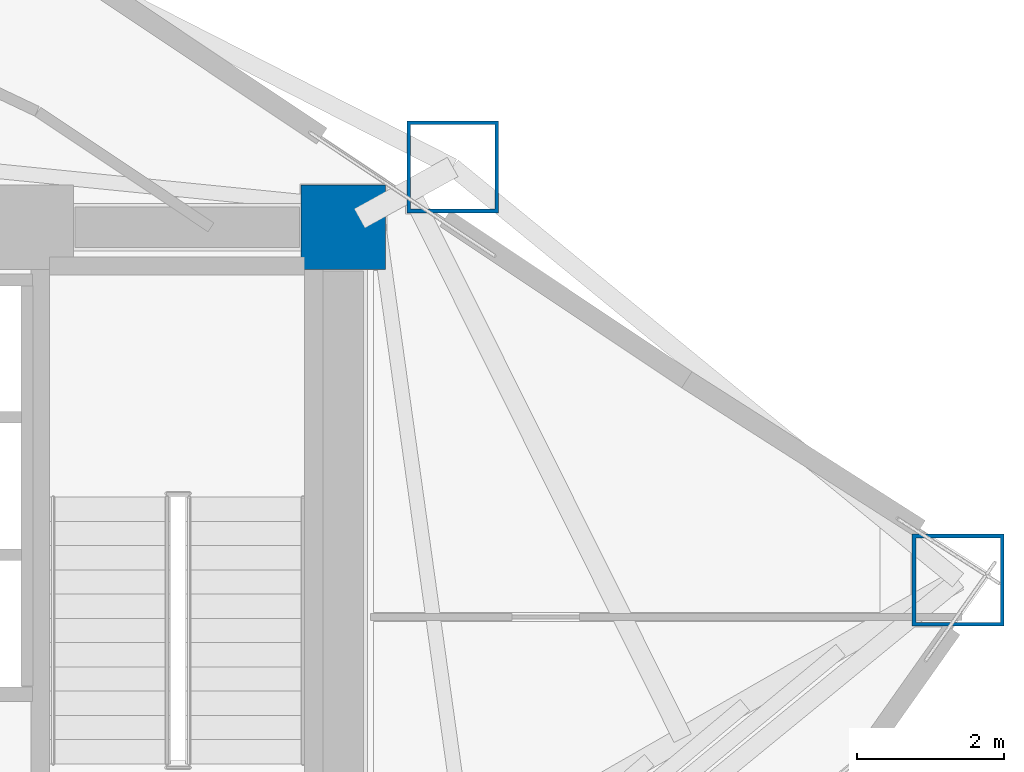
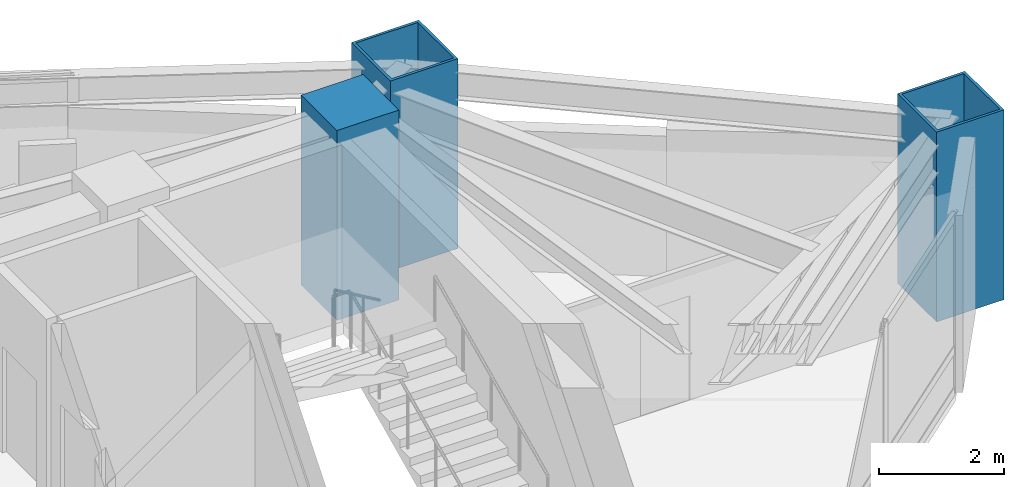
# One storey, part 2 of 23: 3 columns.
"""IFC4 building model written with IfcOpenShell, lengths in metres."""

from ifc_helpers import new_model, si_unit, direction, frame, origin, origin_2d, place, context, subcontext, project, spatial, rectangle, hollow_rectangle, extrude, material, material_profile, profile_set, type_object, element, save


model = new_model("IFC4")

# Units and contexts
model_context = context("Model", 3, precision=1e-05, world=origin(), true_north=direction((0.0, 1.0)))
body_context = subcontext(model_context, "Body", "Model", "MODEL_VIEW")
ifc_project = project(units=[si_unit("LENGTHUNIT", "METRE"), si_unit("AREAUNIT", "SQUARE_METRE"), si_unit("VOLUMEUNIT", "CUBIC_METRE"), si_unit("PLANEANGLEUNIT", "RADIAN"), si_unit("MASSUNIT", "GRAM", prefix="KILO")], contexts=[model_context])

# Site, building, storey
site_placement = place(None, origin())
site = spatial("IfcSite", under=ifc_project, at=site_placement, CompositionType="ELEMENT")
building_placement = place(site_placement, origin())
building = spatial("IfcBuilding", under=site, at=building_placement, Name="Menara Vayukalpa", CompositionType="ELEMENT")
storey_placement = place(building_placement, frame((0.0, 0.0, 111.419921875)))
storey = spatial("IfcBuildingStorey", under=building, at=storey_placement, Name="L27", CompositionType="ELEMENT", Elevation=111.419921875)

# Columns
ifc_material_1 = material(Name="Concrete C80/95", Category="concrete")
ifc_material_profile_1 = material_profile(ifc_material_1, rectangle(XDim=1.14990234375, YDim=1.14990234375, at=origin_2d()), Name="RC 1150x1150")
ifc_profile_set_1 = profile_set([ifc_material_profile_1], Name="Concrete C80/95")
column_type_1 = type_object("IfcColumnType", Name="COL-CC1", PredefinedType="COLUMN", material=ifc_profile_set_1)
column_placement = place(storey_placement, frame((33.39990234375, 26.800048828125, 0.0), z_axis=(0.0, 0.0, 1.0), x_axis=(1.0, 0.0, 0.0)))
element("IfcColumn", 1, at=column_placement, inside=storey, type_object=column_type_1, Name="L27 Core Pilaster Column CC8", PredefinedType="COLUMN", context=body_context, shape_type="SweptSolid", body=[
    extrude(rectangle(XDim=1.14990234375, YDim=1.14990234375, at=origin_2d()), origin(), (0.0, 0.0, 1.0), 3.719970703125),
])
ifc_material_2 = material(Name="Steel S460", Category="steel")
ifc_material_profile_2 = material_profile(ifc_material_2, hollow_rectangle(XDim=1.25, YDim=1.25, WallThickness=0.050048828125, at=origin_2d()), Name="BOX 1250x1250x50")
ifc_profile_set_2 = profile_set([ifc_material_profile_2], Name="Steel S460")
column_type_2 = type_object("IfcColumnType", Name="COL-MC2", PredefinedType="COLUMN", material=ifc_profile_set_2)
for number, where, z_axis, x_axis, name in (
    (2, (41.761962890625, 22.0, 0.0), (0.0, 0.0, 1.0), (1.0, 0.0, 0.0), "L27 Perimeter Mega Column P01"),
    (3, (34.88671875, 27.62158203125, 0.0), (0.0, 0.0, 1.0), (1.0, 0.0, 0.0), "L27 Perimeter Mega Column P02"),
):
    element("IfcColumn", number, at=place(storey_placement, frame(where, z_axis=z_axis, x_axis=x_axis)), inside=storey, type_object=column_type_2, Name=name, PredefinedType="COLUMN", context=body_context, shape_type="SweptSolid", body=[
        extrude(hollow_rectangle(XDim=1.25, YDim=1.25, WallThickness=0.050048828125, at=origin_2d()), origin(), (0.0, 0.0, 1.0), 3.719970703125),
    ])

save(model, "model.ifc")
